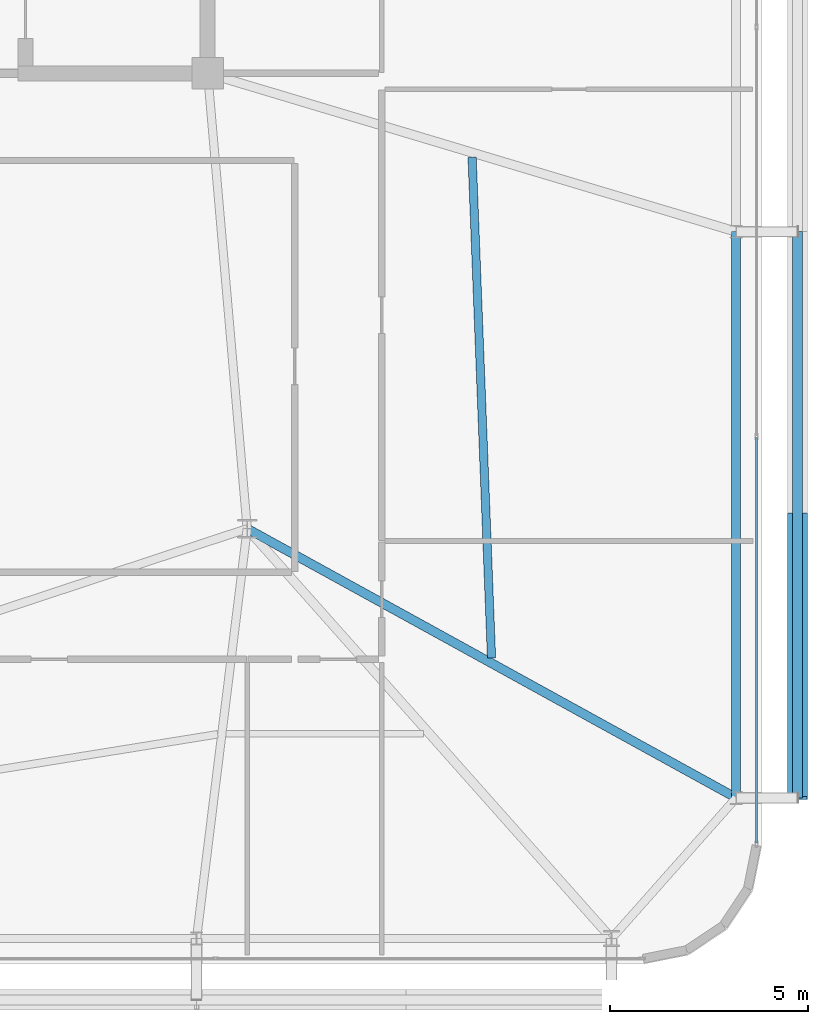
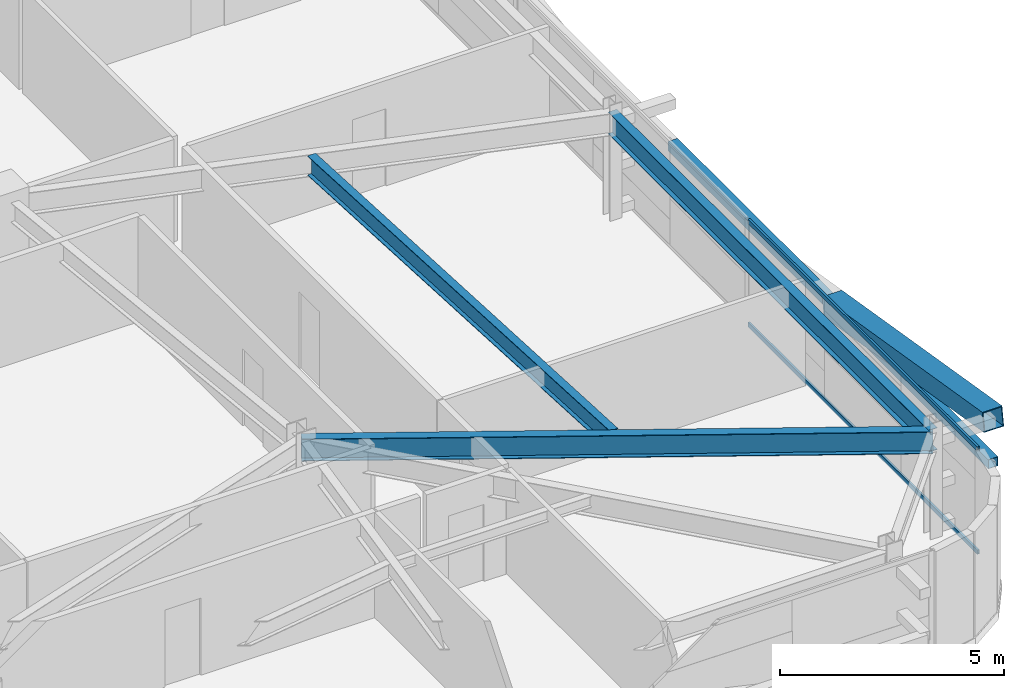
# One storey, part 16 of 45: 4 members, 3 beams, 1 element without a shape of its own.
"""IFC4 building model written with IfcOpenShell, lengths in metres."""

from ifc_helpers import new_model, si_unit, direction, frame, origin, origin_2d, place, context, subcontext, project, spatial, hollow_rectangle, i_section, extrude, source, transform, mapped, material, layer, layer_set, material_profile, profile_set, type_object, element, aggregate, save


model = new_model("IFC4")

# Units and contexts
model_context = context("Model", 3, precision=1e-05, world=origin(), true_north=direction((0.0, 1.0)))
body_context = subcontext(model_context, "Body", "Model", "MODEL_VIEW")
ifc_project = project(units=[si_unit("LENGTHUNIT", "METRE"), si_unit("AREAUNIT", "SQUARE_METRE"), si_unit("VOLUMEUNIT", "CUBIC_METRE"), si_unit("PLANEANGLEUNIT", "RADIAN"), si_unit("MASSUNIT", "GRAM", prefix="KILO")], contexts=[model_context])

# Site, building, storey
site_placement = place(None, origin())
site = spatial("IfcSite", under=ifc_project, at=site_placement, CompositionType="ELEMENT")
building_placement = place(site_placement, origin())
building = spatial("IfcBuilding", under=site, at=building_placement, Name="Taldren Reach Tower", CompositionType="ELEMENT")
storey_placement = place(building_placement, frame((0.0, 0.0, 57.75)))
storey = spatial("IfcBuildingStorey", under=building, at=storey_placement, Name="L17", CompositionType="ELEMENT", Elevation=57.75)

# Beams
ifc_material_1 = material(Name="Steel Gr 350 (350PLUS)", Category="steel")
ifc_material_profile_1 = material_profile(ifc_material_1, i_section(OverallWidth=0.22802734375, OverallDepth=0.60205078125, WebThickness=0.010498046875, FlangeThickness=0.014892578125, at=origin_2d()), Name="610UB101")
ifc_profile_set_1 = profile_set([ifc_material_profile_1], Name="Steel Gr 350 (350PLUS)")
beam_type_1 = type_object("IfcBeamType", Name="BM-UB610B", PredefinedType="BEAM", material=ifc_profile_set_1)
shared_shape_1 = source(origin(), body_context, "Body", "SweptSolid", [
    extrude(i_section(OverallWidth=0.22802734375, OverallDepth=0.60205078125, WebThickness=0.010498046875, FlangeThickness=0.014892578125, at=origin_2d()), origin(), (0.0, 0.0, 1.0), 14.300048828125),
])
beam_1_placement = place(storey_placement, frame((64.35009765625, 5.699951171875, 2.569091796875), z_axis=(0.0, 1.0, 0.0), x_axis=(-1.0, 0.0, 0.0)))
element("IfcBeam", 1, at=beam_1_placement, inside=storey, type_object=beam_type_1, Name="Perimeter gable girder B1 E1-E2 L17", PredefinedType="BEAM", context=body_context, shape_type="MappedRepresentation", body=[
    mapped(shared_shape_1, transform((0.0, 0.0, 0.0), scale=1.0)),
])
shared_shape_2 = source(origin(), body_context, "Body", "SweptSolid", [
    extrude(i_section(OverallWidth=0.22802734375, OverallDepth=0.60205078125, WebThickness=0.010498046875, FlangeThickness=0.014892578125, at=origin_2d()), origin(), (0.0, 0.0, 1.0), 14.098388671875),
])
beam_2_placement = place(storey_placement, frame((52.0, 12.5, 2.569091796875), z_axis=(0.875991325783, -0.482326857175, 0.0), x_axis=(0.482326857175, 0.875991325783, 0.0)))
element("IfcBeam", 2, at=beam_2_placement, inside=storey, type_object=beam_type_1, Name="Primary floor girder B1-E1 L17", PredefinedType="BEAM", context=body_context, shape_type="MappedRepresentation", body=[
    mapped(shared_shape_2, transform((0.0, 0.0, 0.0), scale=1.0)),
])
ifc_material_profile_2 = material_profile(ifc_material_1, i_section(OverallWidth=0.208984375, OverallDepth=0.532958984375, WebThickness=0.01025390625, FlangeThickness=0.015625, at=origin_2d()), Name="530UB92.4")
ifc_profile_set_2 = profile_set([ifc_material_profile_2], Name="Steel Gr 350 (350PLUS)")
beam_type_2 = type_object("IfcBeamType", Name="BM-UB530A", PredefinedType="BEAM", material=ifc_profile_set_2)
shared_shape_3 = source(origin(), body_context, "Body", "SweptSolid", [
    extrude(i_section(OverallWidth=0.208984375, OverallDepth=0.532958984375, WebThickness=0.01025390625, FlangeThickness=0.015625, at=origin_2d()), origin(), (0.0, 0.0, 1.0), 12.65625),
])
beam_3_placement = place(storey_placement, frame((58.169921875, 9.23291015625, 2.603515625), z_axis=(-0.0387346395, 0.99924953225, 0.0), x_axis=(-0.99924953225, -0.0387346395, 0.0)))
element("IfcBeam", 3, at=beam_3_placement, inside=storey, type_object=beam_type_2, Name="Secondary floor beam B1 J7 L17", PredefinedType="BEAM", context=body_context, shape_type="MappedRepresentation", body=[
    mapped(shared_shape_3, transform((0.0, 0.0, 0.0), scale=1.0)),
])

# Members
ifc_material_2 = material(Name="Steel Gr 350 (C350L0)", Category="steel")
ifc_material_profile_3 = material_profile(ifc_material_2, hollow_rectangle(XDim=0.25, YDim=0.25, WallThickness=0.010009765625, at=origin_2d()), Name="250x250x10.0SHS")
ifc_profile_set_3 = profile_set([ifc_material_profile_3], Name="Steel Gr 350 (C350L0)")
member_type_1 = type_object("IfcMemberType", Name="MB-POST250", PredefinedType="POST", material=ifc_profile_set_3)
shared_shape_4 = source(origin(), body_context, "Body", "SweptSolid", [
    extrude(hollow_rectangle(XDim=0.25, YDim=0.25, WallThickness=0.010009765625, at=origin_2d()), origin(), (0.0, 0.0, 1.0), 14.300048828125),
])
member_1_placement = place(storey_placement, frame((65.89990234375, 5.699951171875, 1.405029296875), z_axis=(0.0, 1.0, 0.0), x_axis=(-1.0, 0.0, 0.0)))
element("IfcMember", 4, at=member_1_placement, inside=storey, type_object=member_type_1, Name="Exoskeleton mid-height ring chord B1-E1 L17", PredefinedType="POST", context=body_context, shape_type="MappedRepresentation", body=[
    mapped(shared_shape_4, transform((0.0, 0.0, 0.0), scale=1.0)),
])
ifc_material_3 = material(Name="Steel Gr 450 (C450L0)", Category="steel")
ifc_material_profile_4 = material_profile(ifc_material_3, hollow_rectangle(XDim=0.510009765625, YDim=0.510009765625, WallThickness=0.02001953125, at=origin_2d()), Name="510x510x20.0SHS")
ifc_profile_set_4 = profile_set([ifc_material_profile_4], Name="Steel Gr 450 (C450L0)")
member_type_2 = type_object("IfcMemberType", Name="MB-EXO508", PredefinedType="BRACE", material=ifc_profile_set_4)
shared_shape_5 = source(origin(), body_context, "Body", "SweptSolid", [
    extrude(hollow_rectangle(XDim=0.510009765625, YDim=0.510009765625, WallThickness=0.02001953125, at=origin_2d()), origin(), (0.0, 0.0, 1.0), 7.247802734375),
])
member_2_placement = place(storey_placement, frame((65.89990234375, 12.85009765625, 1.405029296875), z_axis=(0.0, -0.986541919455, 0.163508535427), x_axis=(1.0, 0.0, 0.0)))
element("IfcMember", 5, at=member_2_placement, inside=storey, type_object=member_type_2, Name="Exoskeleton Diagrid Brace B1-E1 L17", PredefinedType="BRACE", context=body_context, shape_type="MappedRepresentation", body=[
    mapped(shared_shape_5, transform((0.0, 0.0, 0.0), scale=1.0)),
])

# Curtain wall, members
ifc_material_4 = material(Name="Aluminium and Low-E Glass Unitised System", Category="aluminium")
ifc_layer = layer(ifc_material_4, 0.159912109375)
ifc_layer_set = layer_set([ifc_layer], Name="Aluminium and Low-E Glass Unitised System")
curtain_wall_type = type_object("IfcCurtainWallType", Name="CW-SYS-2", PredefinedType="NOTDEFINED", material=ifc_layer_set)
curtain_wall_placement = place(storey_placement, origin())
curtain_wall = element("IfcCurtainWall", 6, at=curtain_wall_placement, inside=storey, type_object=curtain_wall_type, Name="Unitised curtain wall CW-L17-E", PredefinedType="NOTDEFINED")
ifc_material_5 = material(Name="Anodised Aluminium 6063-T6", Category="aluminium")
ifc_material_profile_5 = material_profile(ifc_material_5, hollow_rectangle(XDim=0.054931640625, YDim=0.1201171875, WallThickness=0.0029296875, at=origin_2d()), Name="ALU-120x55x3RHS")
ifc_profile_set_5 = profile_set([ifc_material_profile_5], Name="Anodised Aluminium 6063-T6")
member_type_3 = type_object("IfcMemberType", Name="CW-TRN-135", PredefinedType="USERDEFINED", material=ifc_profile_set_5)
shared_shape_6 = source(origin(), body_context, "Body", "SweptSolid", [
    extrude(hollow_rectangle(XDim=0.054931640625, YDim=0.1201171875, WallThickness=0.0029296875, at=origin_2d()), origin(), (0.0, 0.0, 1.0), 10.23583984375),
])
member_3_placement = place(storey_placement, frame((64.860107421875, 4.56494140625, 0.027587890625), z_axis=(0.0, 1.0, 0.0), x_axis=(-1.0, 0.0, 0.0)))
member_3 = element("IfcMember", 7, at=member_3_placement, type_object=member_type_3, Name="CW-2 transom 1.1", ObjectType="TRANSOM", PredefinedType="USERDEFINED", context=body_context, shape_type="MappedRepresentation", body=[
    mapped(shared_shape_6, transform((0.0, 0.0, 0.0), scale=1.0)),
])
member_4_placement = place(storey_placement, frame((64.860107421875, 4.56494140625, 2.842529296875), z_axis=(0.0, 1.0, 0.0), x_axis=(-1.0, 0.0, 0.0)))
member_4 = element("IfcMember", 8, at=member_4_placement, type_object=member_type_3, Name="CW-2 transom 1.2", ObjectType="TRANSOM", PredefinedType="USERDEFINED", context=body_context, shape_type="MappedRepresentation", body=[
    mapped(shared_shape_6, transform((0.0, 0.0, 0.0), scale=1.0)),
])
aggregate(curtain_wall, [member_3, member_4])

save(model, "model.ifc")
